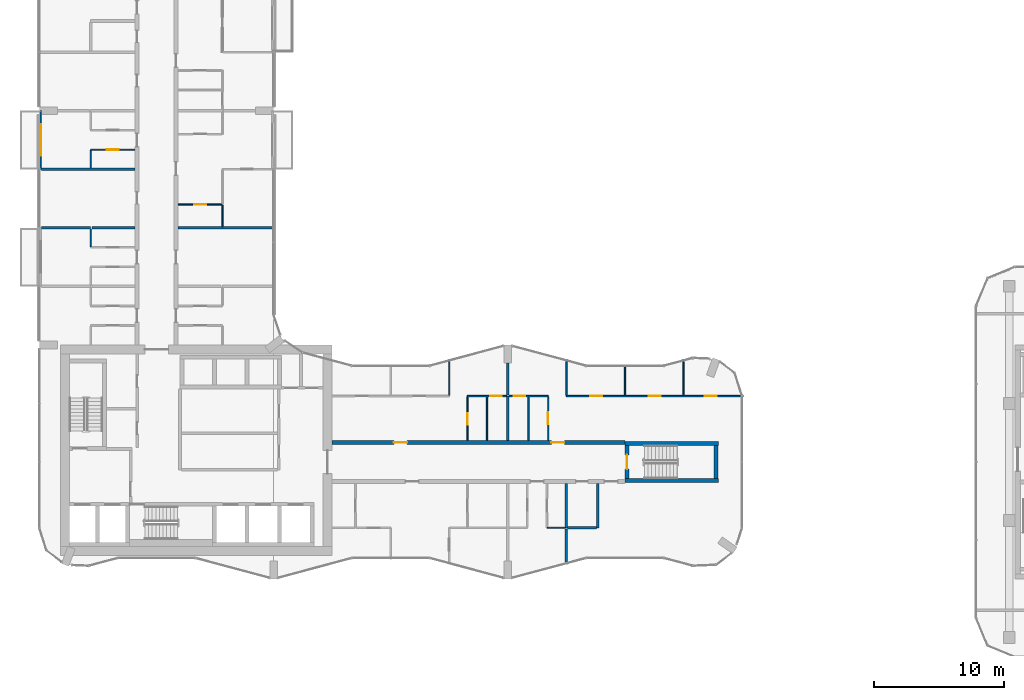
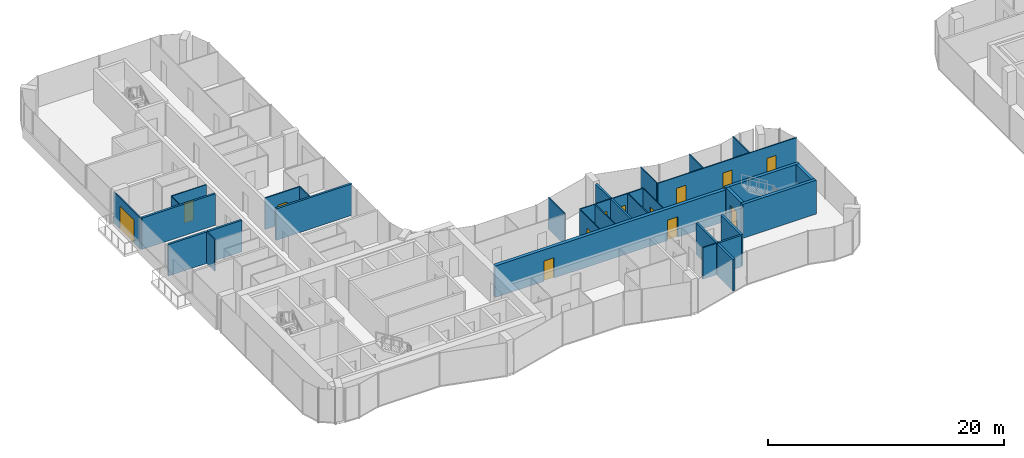
# One storey, part 15 of 23: 33 walls, 13 doors, 13 openings.
"""IFC4 building model written with IfcOpenShell, lengths in metres."""

from ifc_helpers import new_model, si_unit, direction, frame, frame_2d, origin, place, context, subcontext, project, spatial, rectangle, extrude, material, layer, layer_set, type_object, element, fill, save


model = new_model("IFC4")

# Units and contexts
model_context = context("Model", 3, precision=1e-05, world=origin(), true_north=direction((0.0, 1.0)))
body_context = subcontext(model_context, "Body", "Model", "MODEL_VIEW")
ifc_project = project(units=[si_unit("LENGTHUNIT", "METRE"), si_unit("AREAUNIT", "SQUARE_METRE"), si_unit("VOLUMEUNIT", "CUBIC_METRE"), si_unit("PLANEANGLEUNIT", "RADIAN"), si_unit("MASSUNIT", "GRAM", prefix="KILO")], contexts=[model_context])

# Site, building, storey
site_placement = place(None, origin())
site = spatial("IfcSite", under=ifc_project, at=site_placement, CompositionType="ELEMENT")
building_placement = place(site_placement, origin())
building = spatial("IfcBuilding", under=site, at=building_placement, Name="Plateau Cross Towers", CompositionType="ELEMENT")
storey_placement = place(building_placement, frame((0.0, 0.0, 92.300048828125)))
storey = spatial("IfcBuildingStorey", under=building, at=storey_placement, Name="L23", CompositionType="ELEMENT", Elevation=92.300048828125)

# Wall, opening, door
ifc_material_1 = material(Name="Aluminium framed glazing", Category="aluminium")
ifc_layer_1 = layer(ifc_material_1, 0.10009765625)
ifc_layer_set_1 = layer_set([ifc_layer_1], Name="Aluminium framed glazing")
wall_type_1 = type_object("IfcWallType", Name="Balcony screen wall 100", PredefinedType="STANDARD", material=ifc_layer_set_1)
wall_1_placement = place(storey_placement, frame((0.10009765625, 31.5, 0.0), z_axis=(0.0, 0.0, 1.0), x_axis=(0.0, 1.0, 0.0)))
wall_1 = element("IfcWall", 1, at=wall_1_placement, inside=storey, type_object=wall_type_1, Name="Balcony screen wall A-BAL-L23-02", PredefinedType="STANDARD", context=body_context, shape_type="SweptSolid", body=[
    extrude(rectangle(XDim=4.5, YDim=0.10009765625, at=frame_2d((2.25, 0.0))), origin(), (0.0, 0.0, 1.0), 3.25),
])
opening_1_placement = place(wall_1_placement, frame((1.050048828125, 0.0, 0.0)))
opening_1 = element("IfcOpeningElement", 2, at=opening_1_placement, cuts=wall_1, Name="Opening D-B24", PredefinedType="OPENING", context=body_context, shape_type="SweptSolid", body=[
    extrude(rectangle(XDim=2.39990234375, YDim=2.39990234375, at=frame_2d((1.199951171875, 1.199951171875))), frame((0.0, 0.06005859375, 0.0), z_axis=(0.0, -1.0, 0.0), x_axis=(1.0, 0.0, 0.0)), (0.0, 0.0, 1.0), 0.1201171875),
])
ifc_material_2 = material(Name="Aluminium frame, double glazing", Category="aluminium")
door_type_1 = type_object("IfcDoorType", Name="Balcony sliding door 2400", OperationType="NOTDEFINED", PredefinedType="DOOR", material=ifc_material_2)
door_1_placement = place(opening_1_placement, origin())
door_1 = element("IfcDoor", 3, at=door_1_placement, inside=storey, type_object=door_type_1, Name="Balcony door A-BAL-L23-02", OperationType="SINGLE_SWING_LEFT", OverallHeight=2.39990234375, OverallWidth=2.39990234375, PredefinedType="DOOR", context=body_context, shape_type="SweptSolid", body=[
    extrude(rectangle(XDim=2.39990234375, YDim=2.39990234375, at=frame_2d((1.199951171875, 1.199951171875))), frame((0.0, 0.02490234375, 0.0), z_axis=(0.0, -1.0, 0.0), x_axis=(1.0, 0.0, 0.0)), (0.0, 0.0, 1.0), 0.050048828125),
])
fill(opening_1, door_1)

# Wall, openings, doors
ifc_material_3 = material(Name="Concrete C60/75", Category="concrete")
ifc_layer_2 = layer(ifc_material_3, 0.324951171875)
ifc_layer_set_2 = layer_set([ifc_layer_2], Name="Concrete C60/75")
wall_type_2 = type_object("IfcWallType", Name="Corridor wall 325", PredefinedType="SHEAR", material=ifc_layer_set_2)
wall_2_placement = place(storey_placement, frame((22.5, 10.5, 0.0), z_axis=(0.0, 0.0, 1.0), x_axis=(1.0, 0.0, 0.0)))
wall_2 = element("IfcWall", 4, at=wall_2_placement, inside=storey, type_object=wall_type_2, Name="A-cw-S2@L23", PredefinedType="SHEAR", context=body_context, shape_type="SweptSolid", body=[
    extrude(rectangle(XDim=22.5, YDim=0.324951171875, at=frame_2d((11.25, 0.0))), origin(), (0.0, 0.0, 1.0), 3.25),
])
opening_2_placement = place(wall_2_placement, frame((4.75, 0.0, 0.0)))
opening_2 = element("IfcOpeningElement", 5, at=opening_2_placement, cuts=wall_2, Name="Opening 23-05", PredefinedType="OPENING", context=body_context, shape_type="SweptSolid", body=[
    extrude(rectangle(XDim=1.0, YDim=2.10009765625, at=frame_2d((0.5, 1.050048828125))), frame((0.0, 0.17236328125, 0.0), z_axis=(0.0, -1.0, 0.0), x_axis=(1.0, 0.0, 0.0)), (0.0, 0.0, 1.0), 0.344970703125),
])
opening_3_placement = place(wall_2_placement, frame((16.85009765625, 0.0, 0.0)))
opening_3 = element("IfcOpeningElement", 6, at=opening_3_placement, cuts=wall_2, Name="Opening 23-06", PredefinedType="OPENING", context=body_context, shape_type="SweptSolid", body=[
    extrude(rectangle(XDim=1.0, YDim=2.10009765625, at=frame_2d((0.5, 1.050048828125))), frame((0.0, 0.17236328125, 0.0), z_axis=(0.0, -1.0, 0.0), x_axis=(1.0, 0.0, 0.0)), (0.0, 0.0, 1.0), 0.344970703125),
])
ifc_material_4 = material(Name="Timber, fire-resisting leaf", Category="wood")
door_type_2 = type_object("IfcDoorType", Name="Flat entrance door 1000", OperationType="NOTDEFINED", PredefinedType="DOOR", material=ifc_material_4)
door_2_placement = place(opening_2_placement, origin())
door_2 = element("IfcDoor", 7, at=door_2_placement, inside=storey, type_object=door_type_2, Name="Door 23-05", OperationType="SINGLE_SWING_LEFT", OverallHeight=2.10009765625, OverallWidth=1.0, PredefinedType="DOOR", context=body_context, shape_type="SweptSolid", body=[
    extrude(rectangle(XDim=1.0, YDim=2.10009765625, at=frame_2d((0.5, 1.050048828125))), frame((0.0, 0.02490234375, 0.0), z_axis=(0.0, -1.0, 0.0), x_axis=(1.0, 0.0, 0.0)), (0.0, 0.0, 1.0), 0.050048828125),
])
fill(opening_2, door_2)
door_3_placement = place(opening_3_placement, origin())
door_3 = element("IfcDoor", 8, at=door_3_placement, inside=storey, type_object=door_type_2, Name="Door 23-06", OperationType="SINGLE_SWING_RIGHT", OverallHeight=2.10009765625, OverallWidth=1.0, PredefinedType="DOOR", context=body_context, shape_type="SweptSolid", body=[
    extrude(rectangle(XDim=1.0, YDim=2.10009765625, at=frame_2d((0.5, 1.050048828125))), frame((0.0, 0.02490234375, 0.0), z_axis=(0.0, -1.0, 0.0), x_axis=(1.0, 0.0, 0.0)), (0.0, 0.0, 1.0), 0.050048828125),
])
fill(opening_3, door_3)

# Wall
ifc_material_5 = material(Name="Gypsum board on steel studs", Category="steel")
ifc_layer_3 = layer(ifc_material_5, 0.10009765625)
ifc_layer_set_3 = layer_set([ifc_layer_3], Name="Gypsum board on steel studs")
wall_type_3 = type_object("IfcWallType", Name="Flat partition 100", PredefinedType="PARTITIONING", material=ifc_layer_set_3)
wall_3_placement = place(storey_placement, frame((39.050048828125, 3.9375, 0.0), z_axis=(0.0, 0.0, 1.0), x_axis=(1.0, 0.0, 0.0)))
element("IfcWall", 9, at=wall_3_placement, inside=storey, type_object=wall_type_3, Name="Partition wall", PredefinedType="PARTITIONING", context=body_context, shape_type="SweptSolid", body=[
    extrude(rectangle(XDim=1.349853515625, YDim=0.10009765625, at=frame_2d((0.6748046875, 0.0))), origin(), (0.0, 0.0, 1.0), 3.25),
])

# Wall, opening, door
wall_4_placement = place(storey_placement, frame((35.89990234375, 14.0625, 0.0), z_axis=(0.0, 0.0, 1.0), x_axis=(-1.0, 0.0, 0.0)))
wall_4 = element("IfcWall", 10, at=wall_4_placement, inside=storey, type_object=wall_type_3, Name="Partition wall", PredefinedType="PARTITIONING", context=body_context, shape_type="SweptSolid", body=[
    extrude(rectangle(XDim=3.0, YDim=0.10009765625, at=frame_2d((1.5, 0.0))), origin(), (0.0, 0.0, 1.0), 3.25),
])
opening_4_placement = place(wall_4_placement, frame((0.35009765625, 0.0, 0.0)))
opening_4 = element("IfcOpeningElement", 11, at=opening_4_placement, cuts=wall_4, Name="Opening 23-25", PredefinedType="OPENING", context=body_context, shape_type="SweptSolid", body=[
    extrude(rectangle(XDim=0.89990234375, YDim=2.10009765625, at=frame_2d((0.449951171875, 1.050048828125))), frame((0.0, 0.06005859375, 0.0), z_axis=(0.0, -1.0, 0.0), x_axis=(1.0, 0.0, 0.0)), (0.0, 0.0, 1.0), 0.1201171875),
])
ifc_material_6 = material(Name="Timber leaf", Category="wood")
door_type_3 = type_object("IfcDoorType", Name="Flat room door 900", OperationType="NOTDEFINED", PredefinedType="DOOR", material=ifc_material_6)
door_4_placement = place(opening_4_placement, origin())
door_4 = element("IfcDoor", 12, at=door_4_placement, inside=storey, type_object=door_type_3, Name="Door 23-25", OperationType="SINGLE_SWING_LEFT", OverallHeight=2.10009765625, OverallWidth=0.89990234375, PredefinedType="DOOR", context=body_context, shape_type="SweptSolid", body=[
    extrude(rectangle(XDim=0.89990234375, YDim=2.10009765625, at=frame_2d((0.449951171875, 1.050048828125))), frame((0.0, 0.02490234375, 0.0), z_axis=(0.0, -1.0, 0.0), x_axis=(1.0, 0.0, 0.0)), (0.0, 0.0, 1.0), 0.050048828125),
])
fill(opening_4, door_4)

wall_5_placement = place(storey_placement, frame((39.10009765625, 14.0625, 0.0), z_axis=(0.0, 0.0, 1.0), x_axis=(-1.0, 0.0, 0.0)))
wall_5 = element("IfcWall", 13, at=wall_5_placement, inside=storey, type_object=wall_type_3, Name="Partition wall", PredefinedType="PARTITIONING", context=body_context, shape_type="SweptSolid", body=[
    extrude(rectangle(XDim=3.0, YDim=0.10009765625, at=frame_2d((1.5, 0.0))), origin(), (0.0, 0.0, 1.0), 3.25),
])
opening_5_placement = place(wall_5_placement, frame((1.75, 0.0, 0.0)))
opening_5 = element("IfcOpeningElement", 14, at=opening_5_placement, cuts=wall_5, Name="Opening 23-28", PredefinedType="OPENING", context=body_context, shape_type="SweptSolid", body=[
    extrude(rectangle(XDim=0.89990234375, YDim=2.10009765625, at=frame_2d((0.449951171875, 1.050048828125))), frame((0.0, 0.06005859375, 0.0), z_axis=(0.0, -1.0, 0.0), x_axis=(1.0, 0.0, 0.0)), (0.0, 0.0, 1.0), 0.1201171875),
])
door_5_placement = place(opening_5_placement, origin())
door_5 = element("IfcDoor", 15, at=door_5_placement, inside=storey, type_object=door_type_3, Name="Door 23-28", OperationType="SINGLE_SWING_RIGHT", OverallHeight=2.10009765625, OverallWidth=0.89990234375, PredefinedType="DOOR", context=body_context, shape_type="SweptSolid", body=[
    extrude(rectangle(XDim=0.89990234375, YDim=2.10009765625, at=frame_2d((0.449951171875, 1.050048828125))), frame((0.0, 0.02490234375, 0.0), z_axis=(0.0, -1.0, 0.0), x_axis=(1.0, 0.0, 0.0)), (0.0, 0.0, 1.0), 0.050048828125),
])
fill(opening_5, door_5)

# Wall, openings, doors
wall_6_placement = place(storey_placement, frame((40.5, 14.0625, 0.0), z_axis=(0.0, 0.0, 1.0), x_axis=(1.0, 0.0, 0.0)))
wall_6 = element("IfcWall", 16, at=wall_6_placement, inside=storey, type_object=wall_type_3, Name="Partition wall", PredefinedType="PARTITIONING", context=body_context, shape_type="SweptSolid", body=[
    extrude(rectangle(XDim=13.580078125, YDim=0.10009765625, at=frame_2d((6.7900390625, 0.0))), origin(), (0.0, 0.0, 1.0), 3.25),
])
opening_6_placement = place(wall_6_placement, frame((1.85009765625, 0.0, 0.0)))
opening_6 = element("IfcOpeningElement", 17, at=opening_6_placement, cuts=wall_6, Name="Opening 23-30", PredefinedType="OPENING", context=body_context, shape_type="SweptSolid", body=[
    extrude(rectangle(XDim=0.89990234375, YDim=2.10009765625, at=frame_2d((0.449951171875, 1.050048828125))), frame((0.0, 0.06005859375, 0.0), z_axis=(0.0, -1.0, 0.0), x_axis=(1.0, 0.0, 0.0)), (0.0, 0.0, 1.0), 0.1201171875),
])
opening_7_placement = place(wall_6_placement, frame((6.35009765625, 0.0, 0.0)))
opening_7 = element("IfcOpeningElement", 18, at=opening_7_placement, cuts=wall_6, Name="Opening 23-31", PredefinedType="OPENING", context=body_context, shape_type="SweptSolid", body=[
    extrude(rectangle(XDim=0.89990234375, YDim=2.10009765625, at=frame_2d((0.449951171875, 1.050048828125))), frame((0.0, 0.06005859375, 0.0), z_axis=(0.0, -1.0, 0.0), x_axis=(1.0, 0.0, 0.0)), (0.0, 0.0, 1.0), 0.1201171875),
])
opening_8_placement = place(wall_6_placement, frame((10.64990234375, 0.0, 0.0)))
opening_8 = element("IfcOpeningElement", 19, at=opening_8_placement, cuts=wall_6, Name="Opening 23-32", PredefinedType="OPENING", context=body_context, shape_type="SweptSolid", body=[
    extrude(rectangle(XDim=0.89990234375, YDim=2.10009765625, at=frame_2d((0.449951171875, 1.050048828125))), frame((0.0, 0.06005859375, 0.0), z_axis=(0.0, -1.0, 0.0), x_axis=(1.0, 0.0, 0.0)), (0.0, 0.0, 1.0), 0.1201171875),
])
door_6_placement = place(opening_6_placement, origin())
door_6 = element("IfcDoor", 20, at=door_6_placement, inside=storey, type_object=door_type_3, Name="Door 23-30", OperationType="SINGLE_SWING_LEFT", OverallHeight=2.10009765625, OverallWidth=0.89990234375, PredefinedType="DOOR", context=body_context, shape_type="SweptSolid", body=[
    extrude(rectangle(XDim=0.89990234375, YDim=2.10009765625, at=frame_2d((0.449951171875, 1.050048828125))), frame((0.0, 0.02490234375, 0.0), z_axis=(0.0, -1.0, 0.0), x_axis=(1.0, 0.0, 0.0)), (0.0, 0.0, 1.0), 0.050048828125),
])
fill(opening_6, door_6)
door_7_placement = place(opening_7_placement, origin())
door_7 = element("IfcDoor", 21, at=door_7_placement, inside=storey, type_object=door_type_3, Name="Door 23-31", OperationType="SINGLE_SWING_RIGHT", OverallHeight=2.10009765625, OverallWidth=0.89990234375, PredefinedType="DOOR", context=body_context, shape_type="SweptSolid", body=[
    extrude(rectangle(XDim=0.89990234375, YDim=2.10009765625, at=frame_2d((0.449951171875, 1.050048828125))), frame((0.0, 0.02490234375, 0.0), z_axis=(0.0, -1.0, 0.0), x_axis=(1.0, 0.0, 0.0)), (0.0, 0.0, 1.0), 0.050048828125),
])
fill(opening_7, door_7)
door_8_placement = place(opening_8_placement, origin())
door_8 = element("IfcDoor", 22, at=door_8_placement, inside=storey, type_object=door_type_3, Name="Door 23-32", OperationType="SINGLE_SWING_RIGHT", OverallHeight=2.10009765625, OverallWidth=0.89990234375, PredefinedType="DOOR", context=body_context, shape_type="SweptSolid", body=[
    extrude(rectangle(XDim=0.89990234375, YDim=2.10009765625, at=frame_2d((0.449951171875, 1.050048828125))), frame((0.0, 0.02490234375, 0.0), z_axis=(0.0, -1.0, 0.0), x_axis=(1.0, 0.0, 0.0)), (0.0, 0.0, 1.0), 0.050048828125),
])
fill(opening_8, door_8)

# Wall, opening, door
wall_7_placement = place(storey_placement, frame((14.0625, 28.800048828125, 0.0), z_axis=(0.0, 0.0, 1.0), x_axis=(-1.0, 0.0, 0.0)))
wall_7 = element("IfcWall", 23, at=wall_7_placement, inside=storey, type_object=wall_type_3, Name="Partition wall", PredefinedType="PARTITIONING", context=body_context, shape_type="SweptSolid", body=[
    extrude(rectangle(XDim=3.39990234375, YDim=0.10009765625, at=frame_2d((1.699951171875, 0.0))), origin(), (0.0, 0.0, 1.0), 3.25),
])
opening_9_placement = place(wall_7_placement, frame((1.25, 0.0, 0.0)))
opening_9 = element("IfcOpeningElement", 24, at=opening_9_placement, cuts=wall_7, Name="Opening 23-41", PredefinedType="OPENING", context=body_context, shape_type="SweptSolid", body=[
    extrude(rectangle(XDim=0.89990234375, YDim=2.10009765625, at=frame_2d((0.449951171875, 1.050048828125))), frame((0.0, 0.06005859375, 0.0), z_axis=(0.0, -1.0, 0.0), x_axis=(1.0, 0.0, 0.0)), (0.0, 0.0, 1.0), 0.1201171875),
])
door_9_placement = place(opening_9_placement, origin())
door_9 = element("IfcDoor", 25, at=door_9_placement, inside=storey, type_object=door_type_3, Name="Door 23-41", OperationType="SINGLE_SWING_LEFT", OverallHeight=2.10009765625, OverallWidth=0.89990234375, PredefinedType="DOOR", context=body_context, shape_type="SweptSolid", body=[
    extrude(rectangle(XDim=0.89990234375, YDim=2.10009765625, at=frame_2d((0.449951171875, 1.050048828125))), frame((0.0, 0.02490234375, 0.0), z_axis=(0.0, -1.0, 0.0), x_axis=(1.0, 0.0, 0.0)), (0.0, 0.0, 1.0), 0.050048828125),
])
fill(opening_9, door_9)

wall_8_placement = place(storey_placement, frame((7.33740234375, 33.0, 0.0), z_axis=(0.0, 0.0, 1.0), x_axis=(-1.0, 0.0, 0.0)))
wall_8 = element("IfcWall", 26, at=wall_8_placement, inside=storey, type_object=wall_type_3, Name="Partition wall", PredefinedType="PARTITIONING", context=body_context, shape_type="SweptSolid", body=[
    extrude(rectangle(XDim=3.39990234375, YDim=0.10009765625, at=frame_2d((1.699951171875, 0.0))), origin(), (0.0, 0.0, 1.0), 3.25),
])
opening_10_placement = place(wall_8_placement, frame((1.25, 0.0, 0.0)))
opening_10 = element("IfcOpeningElement", 27, at=opening_10_placement, cuts=wall_8, Name="Opening 23-37", PredefinedType="OPENING", context=body_context, shape_type="SweptSolid", body=[
    extrude(rectangle(XDim=0.89990234375, YDim=2.10009765625, at=frame_2d((0.449951171875, 1.050048828125))), frame((0.0, 0.06005859375, 0.0), z_axis=(0.0, -1.0, 0.0), x_axis=(1.0, 0.0, 0.0)), (0.0, 0.0, 1.0), 0.1201171875),
])
door_10_placement = place(opening_10_placement, origin())
door_10 = element("IfcDoor", 28, at=door_10_placement, inside=storey, type_object=door_type_3, Name="Door 23-37", OperationType="SINGLE_SWING_LEFT", OverallHeight=2.10009765625, OverallWidth=0.89990234375, PredefinedType="DOOR", context=body_context, shape_type="SweptSolid", body=[
    extrude(rectangle(XDim=0.89990234375, YDim=2.10009765625, at=frame_2d((0.449951171875, 1.050048828125))), frame((0.0, 0.02490234375, 0.0), z_axis=(0.0, -1.0, 0.0), x_axis=(1.0, 0.0, 0.0)), (0.0, 0.0, 1.0), 0.050048828125),
])
fill(opening_10, door_10)

# Walls
for number, where, z_axis, x_axis, name in (
    (29, (3.9375, 26.89990234375, 0.0), (0.0, 0.0, 1.0), (0.0, -1.0, 0.0), "Partition wall"),
    (30, (3.9375, 32.949951171875, 0.0), (0.0, 0.0, 1.0), (0.0, -1.0, 0.0), "Partition wall"),
):
    element("IfcWall", number, at=place(storey_placement, frame(where, z_axis=z_axis, x_axis=x_axis)), inside=storey, type_object=wall_type_3, Name=name, PredefinedType="PARTITIONING", context=body_context, shape_type="SweptSolid", body=[
        extrude(rectangle(XDim=1.349853515625, YDim=0.10009765625, at=frame_2d((0.6748046875, 0.0))), origin(), (0.0, 0.0, 1.0), 3.25),
    ])
wall_9_placement = place(storey_placement, frame((14.0625, 27.10009765625, 0.0), z_axis=(0.0, 0.0, 1.0), x_axis=(0.0, 1.0, 0.0)))
element("IfcWall", 31, at=wall_9_placement, inside=storey, type_object=wall_type_3, Name="Partition wall", PredefinedType="PARTITIONING", context=body_context, shape_type="SweptSolid", body=[
    extrude(rectangle(XDim=1.64990234375, YDim=0.10009765625, at=frame_2d((0.824951171875, 0.0))), origin(), (0.0, 0.0, 1.0), 3.25),
])
wall_10_placement = place(storey_placement, frame((31.5, 14.112548828125, 0.0), z_axis=(0.0, 0.0, 1.0), x_axis=(0.0, 1.0, 0.0)))
element("IfcWall", 32, at=wall_10_placement, inside=storey, type_object=wall_type_3, Name="Partition wall", PredefinedType="PARTITIONING", context=body_context, shape_type="SweptSolid", body=[
    extrude(rectangle(XDim=2.76513671875, YDim=0.10009765625, at=frame_2d((1.382568359375, 0.0))), origin(), (0.0, 0.0, 1.0), 3.25),
])

# Wall, opening, door
wall_11_placement = place(storey_placement, frame((32.89990234375, 14.012451171875, 0.0), z_axis=(0.0, 0.0, 1.0), x_axis=(0.0, -1.0, 0.0)))
wall_11 = element("IfcWall", 33, at=wall_11_placement, inside=storey, type_object=wall_type_3, Name="Partition wall", PredefinedType="PARTITIONING", context=body_context, shape_type="SweptSolid", body=[
    extrude(rectangle(XDim=3.349853515625, YDim=0.10009765625, at=frame_2d((1.6748046875, 0.0))), origin(), (0.0, 0.0, 1.0), 3.25),
])
opening_11_placement = place(wall_11_placement, frame((1.25, 0.0, 0.0)))
opening_11 = element("IfcOpeningElement", 34, at=opening_11_placement, cuts=wall_11, Name="Opening 23-24", PredefinedType="OPENING", context=body_context, shape_type="SweptSolid", body=[
    extrude(rectangle(XDim=0.89990234375, YDim=2.10009765625, at=frame_2d((0.449951171875, 1.050048828125))), frame((0.0, 0.06005859375, 0.0), z_axis=(0.0, -1.0, 0.0), x_axis=(1.0, 0.0, 0.0)), (0.0, 0.0, 1.0), 0.1201171875),
])
door_11_placement = place(opening_11_placement, origin())
door_11 = element("IfcDoor", 35, at=door_11_placement, inside=storey, type_object=door_type_3, Name="Door 23-24", OperationType="SINGLE_SWING_RIGHT", OverallHeight=2.10009765625, OverallWidth=0.89990234375, PredefinedType="DOOR", context=body_context, shape_type="SweptSolid", body=[
    extrude(rectangle(XDim=0.89990234375, YDim=2.10009765625, at=frame_2d((0.449951171875, 1.050048828125))), frame((0.0, 0.02490234375, 0.0), z_axis=(0.0, -1.0, 0.0), x_axis=(1.0, 0.0, 0.0)), (0.0, 0.0, 1.0), 0.050048828125),
])
fill(opening_11, door_11)

# Walls
for number, where, z_axis, x_axis, name in (
    (36, (34.39990234375, 10.66259765625, 0.0), (0.0, 0.0, 1.0), (0.0, 1.0, 0.0), "Partition wall"),
    (37, (37.60009765625, 10.66259765625, 0.0), (0.0, 0.0, 1.0), (0.0, 1.0, 0.0), "Partition wall"),
):
    element("IfcWall", number, at=place(storey_placement, frame(where, z_axis=z_axis, x_axis=x_axis)), inside=storey, type_object=wall_type_3, Name=name, PredefinedType="PARTITIONING", context=body_context, shape_type="SweptSolid", body=[
        extrude(rectangle(XDim=3.349853515625, YDim=0.10009765625, at=frame_2d((1.6748046875, 0.0))), origin(), (0.0, 0.0, 1.0), 3.25),
    ])

# Wall, opening, door
wall_12_placement = place(storey_placement, frame((39.10009765625, 10.66259765625, 0.0), z_axis=(0.0, 0.0, 1.0), x_axis=(0.0, 1.0, 0.0)))
wall_12 = element("IfcWall", 38, at=wall_12_placement, inside=storey, type_object=wall_type_3, Name="Partition wall", PredefinedType="PARTITIONING", context=body_context, shape_type="SweptSolid", body=[
    extrude(rectangle(XDim=3.349853515625, YDim=0.10009765625, at=frame_2d((1.6748046875, 0.0))), origin(), (0.0, 0.0, 1.0), 3.25),
])
opening_12_placement = place(wall_12_placement, frame((1.25, 0.0, 0.0)))
opening_12 = element("IfcOpeningElement", 39, at=opening_12_placement, cuts=wall_12, Name="Opening 23-29", PredefinedType="OPENING", context=body_context, shape_type="SweptSolid", body=[
    extrude(rectangle(XDim=0.89990234375, YDim=2.10009765625, at=frame_2d((0.449951171875, 1.050048828125))), frame((0.0, 0.06005859375, 0.0), z_axis=(0.0, -1.0, 0.0), x_axis=(1.0, 0.0, 0.0)), (0.0, 0.0, 1.0), 0.1201171875),
])
door_12_placement = place(opening_12_placement, origin())
door_12 = element("IfcDoor", 40, at=door_12_placement, inside=storey, type_object=door_type_3, Name="Door 23-29", OperationType="SINGLE_SWING_RIGHT", OverallHeight=2.10009765625, OverallWidth=0.89990234375, PredefinedType="DOOR", context=body_context, shape_type="SweptSolid", body=[
    extrude(rectangle(XDim=0.89990234375, YDim=2.10009765625, at=frame_2d((0.449951171875, 1.050048828125))), frame((0.0, 0.02490234375, 0.0), z_axis=(0.0, -1.0, 0.0), x_axis=(1.0, 0.0, 0.0)), (0.0, 0.0, 1.0), 0.050048828125),
])
fill(opening_12, door_12)

# Walls
wall_13_placement = place(storey_placement, frame((40.5, 16.877685546875, 0.0), z_axis=(0.0, 0.0, 1.0), x_axis=(0.0, -1.0, 0.0)))
element("IfcWall", 41, at=wall_13_placement, inside=storey, type_object=wall_type_3, Name="Partition wall", PredefinedType="PARTITIONING", context=body_context, shape_type="SweptSolid", body=[
    extrude(rectangle(XDim=2.76513671875, YDim=0.10009765625, at=frame_2d((1.382568359375, 0.0))), origin(), (0.0, 0.0, 1.0), 3.25),
])
wall_14_placement = place(storey_placement, frame((45.0, 14.112548828125, 0.0), z_axis=(0.0, 0.0, 1.0), x_axis=(0.0, 1.0, 0.0)))
element("IfcWall", 42, at=wall_14_placement, inside=storey, type_object=wall_type_3, Name="Partition wall", PredefinedType="PARTITIONING", context=body_context, shape_type="SweptSolid", body=[
    extrude(rectangle(XDim=2.360595703125, YDim=0.10009765625, at=frame_2d((1.18017578125, 0.0))), origin(), (0.0, 0.0, 1.0), 3.25),
])
wall_15_placement = place(storey_placement, frame((49.5, 14.112548828125, 0.0), z_axis=(0.0, 0.0, 1.0), x_axis=(0.0, 1.0, 0.0)))
element("IfcWall", 43, at=wall_15_placement, inside=storey, type_object=wall_type_3, Name="Partition wall", PredefinedType="PARTITIONING", context=body_context, shape_type="SweptSolid", body=[
    extrude(rectangle(XDim=2.76513671875, YDim=0.10009765625, at=frame_2d((1.382568359375, 0.0))), origin(), (0.0, 0.0, 1.0), 3.25),
])
ifc_material_7 = material(Name="Gypsum board on steel studs, two layers each side", Category="steel")
ifc_layer_4 = layer(ifc_material_7, 0.199951171875)
ifc_layer_set_4 = layer_set([ifc_layer_4], Name="Gypsum board on steel studs, two layers each side")
wall_type_4 = type_object("IfcWallType", Name="Flat party wall 200", PredefinedType="PARTITIONING", material=ifc_layer_set_4)
wall_16_placement = place(storey_placement, frame((40.60009765625, 3.9375, 0.0), z_axis=(0.0, 0.0, 1.0), x_axis=(1.0, 0.0, 0.0)))
element("IfcWall", 44, at=wall_16_placement, inside=storey, type_object=wall_type_4, Name="Party wall", PredefinedType="PARTITIONING", context=body_context, shape_type="SweptSolid", body=[
    extrude(rectangle(XDim=2.199951171875, YDim=0.199951171875, at=frame_2d((1.10009765625, 0.0))), origin(), (0.0, 0.0, 1.0), 3.25),
])
wall_17_placement = place(storey_placement, frame((7.33740234375, 27.0, 0.0), z_axis=(0.0, 0.0, 1.0), x_axis=(-1.0, 0.0, 0.0)))
element("IfcWall", 45, at=wall_17_placement, inside=storey, type_object=wall_type_4, Name="Party wall", PredefinedType="PARTITIONING", context=body_context, shape_type="SweptSolid", body=[
    extrude(rectangle(XDim=3.2998046875, YDim=0.199951171875, at=frame_2d((1.64990234375, 0.0))), origin(), (0.0, 0.0, 1.0), 3.25),
])
wall_18_placement = place(storey_placement, frame((18.080078125, 27.0, 0.0), z_axis=(0.0, 0.0, 1.0), x_axis=(-1.0, 0.0, 0.0)))
element("IfcWall", 46, at=wall_18_placement, inside=storey, type_object=wall_type_4, Name="Party wall", PredefinedType="PARTITIONING", context=body_context, shape_type="SweptSolid", body=[
    extrude(rectangle(XDim=7.41748046875, YDim=0.199951171875, at=frame_2d((3.708740234375, 0.0))), origin(), (0.0, 0.0, 1.0), 3.25),
])
wall_19_placement = place(storey_placement, frame((0.14990234375, 27.0, 0.0), z_axis=(0.0, 0.0, 1.0), x_axis=(1.0, 0.0, 0.0)))
element("IfcWall", 47, at=wall_19_placement, inside=storey, type_object=wall_type_4, Name="Party wall", PredefinedType="PARTITIONING", context=body_context, shape_type="SweptSolid", body=[
    extrude(rectangle(XDim=3.78759765625, YDim=0.199951171875, at=frame_2d((1.893798828125, 0.0))), origin(), (0.0, 0.0, 1.0), 3.25),
])
wall_20_placement = place(storey_placement, frame((7.33740234375, 31.5, 0.0), z_axis=(0.0, 0.0, 1.0), x_axis=(-1.0, 0.0, 0.0)))
element("IfcWall", 48, at=wall_20_placement, inside=storey, type_object=wall_type_4, Name="Party wall", PredefinedType="PARTITIONING", context=body_context, shape_type="SweptSolid", body=[
    extrude(rectangle(XDim=7.1875, YDim=0.199951171875, at=frame_2d((3.59375, 0.0))), origin(), (0.0, 0.0, 1.0), 3.25),
])
wall_21_placement = place(storey_placement, frame((36.0, 16.60009765625, 0.0), z_axis=(0.0, 0.0, 1.0), x_axis=(0.0, -1.0, 0.0)))
element("IfcWall", 49, at=wall_21_placement, inside=storey, type_object=wall_type_4, Name="Party wall", PredefinedType="PARTITIONING", context=body_context, shape_type="SweptSolid", body=[
    extrude(rectangle(XDim=2.4375, YDim=0.199951171875, at=frame_2d((1.21875, 0.0))), origin(), (0.0, 0.0, 1.0), 3.25),
])
wall_22_placement = place(storey_placement, frame((36.0, 10.66259765625, 0.0), z_axis=(0.0, 0.0, 1.0), x_axis=(0.0, 1.0, 0.0)))
element("IfcWall", 50, at=wall_22_placement, inside=storey, type_object=wall_type_4, Name="Party wall", PredefinedType="PARTITIONING", context=body_context, shape_type="SweptSolid", body=[
    extrude(rectangle(XDim=3.39990234375, YDim=0.199951171875, at=frame_2d((1.699951171875, 0.0))), origin(), (0.0, 0.0, 1.0), 3.25),
])
wall_23_placement = place(storey_placement, frame((40.5, 3.83740234375, 0.0), z_axis=(0.0, 0.0, 1.0), x_axis=(0.0, -1.0, 0.0)))
element("IfcWall", 51, at=wall_23_placement, inside=storey, type_object=wall_type_4, Name="Party wall", PredefinedType="PARTITIONING", context=body_context, shape_type="SweptSolid", body=[
    extrude(rectangle(XDim=2.715087890625, YDim=0.199951171875, at=frame_2d((1.357421875, 0.0))), origin(), (0.0, 0.0, 1.0), 3.25),
])
for number, where, z_axis, x_axis, name in (
    (52, (40.5, 3.9375, 0.0), (0.0, 0.0, 1.0), (0.0, 1.0, 0.0), "Party wall"),
    (53, (42.89990234375, 3.9375, 0.0), (0.0, 0.0, 1.0), (0.0, 1.0, 0.0), "Party wall"),
):
    element("IfcWall", number, at=place(storey_placement, frame(where, z_axis=z_axis, x_axis=x_axis)), inside=storey, type_object=wall_type_4, Name=name, PredefinedType="PARTITIONING", context=body_context, shape_type="SweptSolid", body=[
        extrude(rectangle(XDim=3.39990234375, YDim=0.199951171875, at=frame_2d((1.699951171875, 0.0))), origin(), (0.0, 0.0, 1.0), 3.25),
    ])

# Wall, opening, door
ifc_layer_5 = layer(ifc_material_3, 0.300048828125)
ifc_layer_set_5 = layer_set([ifc_layer_5], Name="Concrete C60/75")
wall_type_5 = type_object("IfcWallType", Name="Stair tower wall 300", PredefinedType="SHEAR", material=ifc_layer_set_5)
wall_24_placement = place(storey_placement, frame((45.14990234375, 7.72509765625, 0.0), z_axis=(0.0, 0.0, 1.0), x_axis=(0.0, 1.0, 0.0)))
wall_24 = element("IfcWall", 54, at=wall_24_placement, inside=storey, type_object=wall_type_5, Name="A-end-E-W@L23", PredefinedType="SHEAR", context=body_context, shape_type="SweptSolid", body=[
    extrude(rectangle(XDim=2.5498046875, YDim=0.300048828125, at=frame_2d((1.27490234375, 0.0))), origin(), (0.0, 0.0, 1.0), 3.5),
])
opening_13_placement = place(wall_24_placement, frame((0.72509765625, 0.0, 0.0)))
opening_13 = element("IfcOpeningElement", 55, at=opening_13_placement, cuts=wall_24, Name="Opening SD", PredefinedType="OPENING", context=body_context, shape_type="SweptSolid", body=[
    extrude(rectangle(XDim=1.10009765625, YDim=2.10009765625, at=frame_2d((0.550048828125, 1.050048828125))), frame((0.0, 0.159912109375, 0.0), z_axis=(0.0, -1.0, 0.0), x_axis=(1.0, 0.0, 0.0)), (0.0, 0.0, 1.0), 0.320068359375),
])
ifc_material_8 = material(Name="Steel, fire-resisting leaf", Category="steel")
door_type_4 = type_object("IfcDoorType", Name="Stair door 1100", OperationType="NOTDEFINED", PredefinedType="DOOR", material=ifc_material_8)
door_13_placement = place(opening_13_placement, origin())
door_13 = element("IfcDoor", 56, at=door_13_placement, inside=storey, type_object=door_type_4, Name="Stair door SD", OperationType="SINGLE_SWING_LEFT", OverallHeight=2.10009765625, OverallWidth=1.10009765625, PredefinedType="DOOR", context=body_context, shape_type="SweptSolid", body=[
    extrude(rectangle(XDim=1.10009765625, YDim=2.10009765625, at=frame_2d((0.550048828125, 1.050048828125))), frame((0.0, 0.02490234375, 0.0), z_axis=(0.0, -1.0, 0.0), x_axis=(1.0, 0.0, 0.0)), (0.0, 0.0, 1.0), 0.050048828125),
])
fill(opening_13, door_13)

# Walls
wall_25_placement = place(storey_placement, frame((52.0, 7.72509765625, 0.0), z_axis=(0.0, 0.0, 1.0), x_axis=(0.0, 1.0, 0.0)))
element("IfcWall", 57, at=wall_25_placement, inside=storey, type_object=wall_type_5, Name="A-end-E-E@L23", PredefinedType="SHEAR", context=body_context, shape_type="SweptSolid", body=[
    extrude(rectangle(XDim=2.5498046875, YDim=0.300048828125, at=frame_2d((1.27490234375, 0.0))), origin(), (0.0, 0.0, 1.0), 3.5),
])
for number, where, z_axis, x_axis, name in (
    (58, (45.0, 7.574951171875, 0.0), (0.0, 0.0, 1.0), (1.0, 0.0, 0.0), "A-end-E-S@L23"),
    (59, (45.0, 10.425048828125, 0.0), (0.0, 0.0, 1.0), (1.0, 0.0, 0.0), "A-end-E-N@L23"),
):
    element("IfcWall", number, at=place(storey_placement, frame(where, z_axis=z_axis, x_axis=x_axis)), inside=storey, type_object=wall_type_5, Name=name, PredefinedType="SHEAR", context=body_context, shape_type="SweptSolid", body=[
        extrude(rectangle(XDim=7.199951171875, YDim=0.300048828125, at=frame_2d((3.60009765625, 0.0))), origin(), (0.0, 0.0, 1.0), 3.5),
    ])

save(model, "model.ifc")
